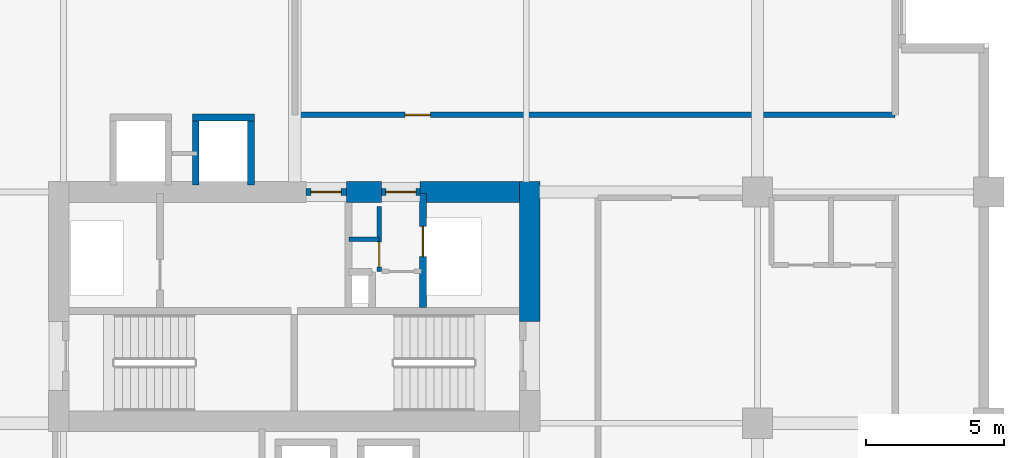
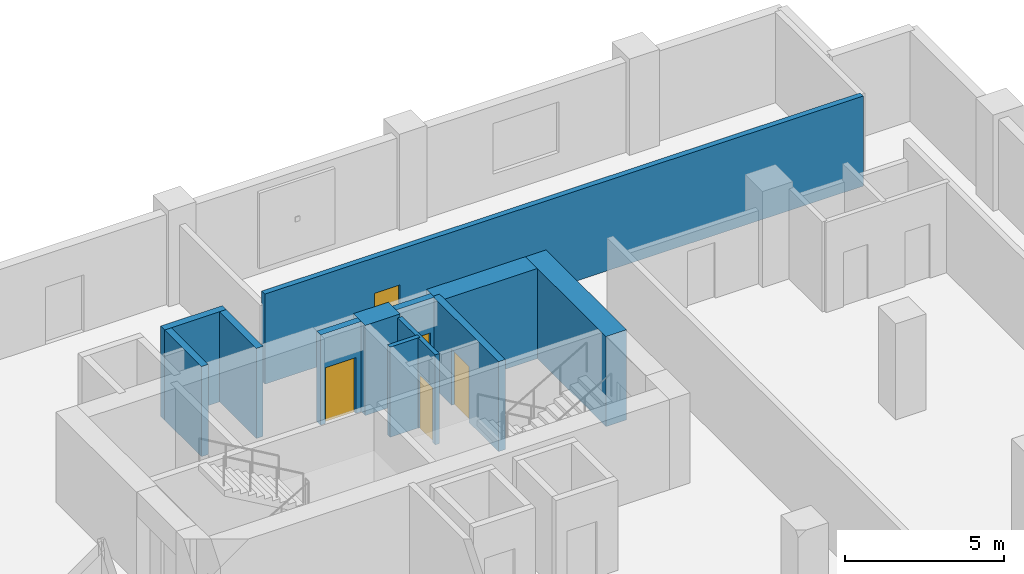
# One storey, part 6 of 16: 12 walls, 5 doors, 5 openings.
"""IFC4 building model written with IfcOpenShell, lengths in metres."""

from ifc_helpers import new_model, si_unit, direction, frame, frame_2d, origin, place, context, subcontext, project, spatial, rectangle, extrude, material, layer, layer_set, type_object, element, fill, save


model = new_model("IFC4")

# Units and contexts
model_context = context("Model", 3, precision=1e-05, world=origin(), true_north=direction((0.0, 1.0)))
body_context = subcontext(model_context, "Body", "Model", "MODEL_VIEW")
ifc_project = project(units=[si_unit("LENGTHUNIT", "METRE"), si_unit("AREAUNIT", "SQUARE_METRE"), si_unit("VOLUMEUNIT", "CUBIC_METRE"), si_unit("PLANEANGLEUNIT", "RADIAN"), si_unit("MASSUNIT", "GRAM", prefix="KILO")], contexts=[model_context])

# Site, building, storey
site_placement = place(None, origin())
site = spatial("IfcSite", under=ifc_project, at=site_placement, CompositionType="ELEMENT")
building_placement = place(site_placement, origin())
building = spatial("IfcBuilding", under=site, at=building_placement, Name="Koriwani Terraces Tower", CompositionType="ELEMENT")
storey_placement = place(building_placement, frame((0.0, 0.0, 171.699951171875)))
storey = spatial("IfcBuildingStorey", under=building, at=storey_placement, Name="L41", CompositionType="ELEMENT", Elevation=171.699951171875)

# Walls
ifc_material_1 = material(Name="Concrete C60/75", Category="concrete")
ifc_layer_1 = layer(ifc_material_1, 0.75, Name="Concrete C60/75")
ifc_layer_set_1 = layer_set([ifc_layer_1], Name="Concrete C60/75")
wall_type_1 = type_object("IfcWallType", Name="WALL_CORE_RC_750", PredefinedType="SHEAR", material=ifc_layer_set_1)
wall_1_placement = place(storey_placement, frame((58.925048828125, 20.5, 0.0), z_axis=(0.0, 0.0, 1.0), x_axis=(0.0, 1.0, 0.0)))
element("IfcWall", 1, at=wall_1_placement, inside=storey, type_object=wall_type_1, Name="L41 East Split Core Shear Wall E2", PredefinedType="SHEAR", context=body_context, shape_type="SweptSolid", body=[
    extrude(rectangle(XDim=5.074951171875, YDim=0.75, at=frame_2d((2.53759765625, 0.0))), origin(), (0.0, 0.0, 1.0), 3.469970703125),
])
wall_2_placement = place(storey_placement, frame((52.280029296875, 25.199951171875, 0.0), z_axis=(0.0, 0.0, 1.0), x_axis=(1.0, 0.0, 0.0)))
element("IfcWall", 2, at=wall_2_placement, inside=storey, type_object=wall_type_1, Name="L41 East Split Core Shear Wall N2", PredefinedType="SHEAR", context=body_context, shape_type="SweptSolid", body=[
    extrude(rectangle(XDim=1.27001953125, YDim=0.75, at=frame_2d((0.635009765625, 0.0))), origin(), (0.0, 0.0, 1.0), 3.469970703125),
])
wall_3_placement = place(storey_placement, frame((54.949951171875, 25.199951171875, 0.0), z_axis=(0.0, 0.0, 1.0), x_axis=(1.0, 0.0, 0.0)))
element("IfcWall", 3, at=wall_3_placement, inside=storey, type_object=wall_type_1, Name="L41 East Split Core Shear Wall N3", PredefinedType="SHEAR", context=body_context, shape_type="SweptSolid", body=[
    extrude(rectangle(XDim=3.60009765625, YDim=0.75, at=frame_2d((1.800048828125, 0.0))), origin(), (0.0, 0.0, 1.0), 3.469970703125),
])

# Wall, opening, door
ifc_material_2 = material(Name="Autoclaved Cellular Concrete Blockwork", Category="masonry")
ifc_layer_2 = layer(ifc_material_2, 0.199951171875, Name="Autoclaved Cellular Concrete Blockwork")
ifc_layer_set_2 = layer_set([ifc_layer_2], Name="Autoclaved Cellular Concrete Blockwork")
wall_type_2 = type_object("IfcWallType", Name="WALL_CORRIDOR_200", PredefinedType="PARTITIONING", material=ifc_layer_set_2)
wall_4_placement = place(storey_placement, frame((50.39990234375, 28.0, 0.0), z_axis=(0.0, 0.0, 1.0), x_axis=(1.0, 0.0, 0.0)))
wall_4 = element("IfcWall", 4, at=wall_4_placement, inside=storey, type_object=wall_type_2, Name="L41 Interior Wall WSEC-S-L41", PredefinedType="PARTITIONING", context=body_context, shape_type="SweptSolid", body=[
    extrude(rectangle(XDim=21.800048828125, YDim=0.199951171875, at=frame_2d((10.89990234375, 0.0))), origin(), (0.0, 0.0, 1.0), 3.469970703125),
])
opening_1_placement = place(wall_4_placement, frame((4.0, 0.0, 0.0)))
opening_1 = element("IfcOpeningElement", 5, at=opening_1_placement, cuts=wall_4, Name="Opening D-06", PredefinedType="OPENING", context=body_context, shape_type="SweptSolid", body=[
    extrude(rectangle(XDim=0.919921875, YDim=2.10009765625, at=frame_2d((0.4599609375, 1.050048828125))), frame((0.0, 0.10986328125, 0.0), z_axis=(0.0, -1.0, 0.0), x_axis=(1.0, 0.0, 0.0)), (0.0, 0.0, 1.0), 0.219970703125),
])
ifc_material_3 = material(Name="Architectural Oak Fire Door", Category="wood")
door_type_1 = type_object("IfcDoorType", Name="DOOR_ROOM_INT_920X2100", OperationType="NOTDEFINED", PredefinedType="DOOR", material=ifc_material_3)
door_1_placement = place(opening_1_placement, origin())
door_1 = element("IfcDoor", 6, at=door_1_placement, inside=storey, type_object=door_type_1, Name="L41 East Court Study Door", OperationType="SINGLE_SWING_RIGHT", OverallHeight=2.10009765625, OverallWidth=0.919921875, PredefinedType="DOOR", context=body_context, shape_type="SweptSolid", body=[
    extrude(rectangle(XDim=0.919921875, YDim=2.10009765625, at=frame_2d((0.4599609375, 1.050048828125))), frame((0.0, 0.02490234375, 0.0), z_axis=(0.0, -1.0, 0.0), x_axis=(1.0, 0.0, 0.0)), (0.0, 0.0, 1.0), 0.050048828125),
])
fill(opening_1, door_1)

ifc_material_4 = material(Name="Concrete C40/50", Category="concrete")
ifc_layer_3 = layer(ifc_material_4, 0.25, Name="Concrete C40/50")
ifc_layer_set_3 = layer_set([ifc_layer_3], Name="Concrete C40/50")
wall_type_3 = type_object("IfcWallType", Name="WALL_SHAFT_RATED_250", PredefinedType="SOLIDWALL", material=ifc_layer_set_3)
wall_5_placement = place(storey_placement, frame((50.800048828125, 25.199951171875, 0.0), z_axis=(0.0, 0.0, 1.0), x_axis=(1.0, 0.0, 0.0)))
wall_5 = element("IfcWall", 7, at=wall_5_placement, inside=storey, type_object=wall_type_3, Name="L41 Interior Wall WIN-CE-L41-NP", PredefinedType="SOLIDWALL", context=body_context, shape_type="SweptSolid", body=[
    extrude(rectangle(XDim=1.47998046875, YDim=0.25, at=frame_2d((0.739990234375, 0.0))), origin(), (0.0, 0.0, 1.0), 3.469970703125),
])
opening_2_placement = place(wall_5_placement, frame((0.179931640625, 0.0, 0.0)))
opening_2 = element("IfcOpeningElement", 8, at=opening_2_placement, cuts=wall_5, Name="Opening D-03", PredefinedType="OPENING", context=body_context, shape_type="SweptSolid", body=[
    extrude(rectangle(XDim=1.10009765625, YDim=2.14990234375, at=frame_2d((0.550048828125, 1.074951171875))), frame((0.0, 0.135009765625, 0.0), z_axis=(0.0, -1.0, 0.0), x_axis=(1.0, 0.0, 0.0)), (0.0, 0.0, 1.0), 0.27001953125),
])
ifc_material_5 = material(Name="Steel ASTM A572 Grade 50", Category="steel")
door_type_2 = type_object("IfcDoorType", Name="DOOR_STAIR_FIRE_1100X2150", OperationType="NOTDEFINED", PredefinedType="DOOR", material=ifc_material_5)
door_2_placement = place(opening_2_placement, origin())
door_2 = element("IfcDoor", 9, at=door_2_placement, inside=storey, type_object=door_type_2, Name="L41 East Firefighting Lobby Door", OperationType="SINGLE_SWING_RIGHT", OverallHeight=2.14990234375, OverallWidth=1.10009765625, PredefinedType="DOOR", context=body_context, shape_type="SweptSolid", body=[
    extrude(rectangle(XDim=1.10009765625, YDim=2.14990234375, at=frame_2d((0.550048828125, 1.074951171875))), frame((0.0, 0.02490234375, 0.0), z_axis=(0.0, -1.0, 0.0), x_axis=(1.0, 0.0, 0.0)), (0.0, 0.0, 1.0), 0.050048828125),
])
fill(opening_2, door_2)

wall_6_placement = place(storey_placement, frame((55.050048828125, 21.0, 0.0), z_axis=(0.0, 0.0, 1.0), x_axis=(0.0, 1.0, 0.0)))
wall_6 = element("IfcWall", 10, at=wall_6_placement, inside=storey, type_object=wall_type_3, Name="L41 Interior Wall WIN-CE-L41-SE", PredefinedType="SOLIDWALL", context=body_context, shape_type="SweptSolid", body=[
    extrude(rectangle(XDim=4.14990234375, YDim=0.25, at=frame_2d((2.074951171875, 0.0))), origin(), (0.0, 0.0, 1.0), 3.469970703125),
])
opening_3_placement = place(wall_6_placement, frame((1.85009765625, 0.0, 0.0)))
opening_3 = element("IfcOpeningElement", 11, at=opening_3_placement, cuts=wall_6, Name="Opening LD-01", PredefinedType="OPENING", context=body_context, shape_type="SweptSolid", body=[
    extrude(rectangle(XDim=1.10009765625, YDim=2.14990234375, at=frame_2d((0.550048828125, 1.074951171875))), frame((0.0, 0.135009765625, 0.0), z_axis=(0.0, -1.0, 0.0), x_axis=(1.0, 0.0, 0.0)), (0.0, 0.0, 1.0), 0.27001953125),
])
door_type_3 = type_object("IfcDoorType", Name="DOOR_LIFT_LANDING_1100X2200", OperationType="NOTDEFINED", PredefinedType="DOOR", material=ifc_material_5)
door_3_placement = place(opening_3_placement, origin())
door_3 = element("IfcDoor", 12, at=door_3_placement, inside=storey, type_object=door_type_3, Name="L41 Goods Lift SE-02 Landing Door", OperationType="SLIDING_TO_LEFT", OverallHeight=2.14990234375, OverallWidth=1.10009765625, PredefinedType="DOOR", context=body_context, shape_type="SweptSolid", body=[
    extrude(rectangle(XDim=1.10009765625, YDim=2.14990234375, at=frame_2d((0.550048828125, 1.074951171875))), frame((0.0, 0.02490234375, 0.0), z_axis=(0.0, -1.0, 0.0), x_axis=(1.0, 0.0, 0.0)), (0.0, 0.0, 1.0), 0.050048828125),
])
fill(opening_3, door_3)

wall_7_placement = place(storey_placement, frame((53.550048828125, 25.199951171875, 0.0), z_axis=(0.0, 0.0, 1.0), x_axis=(1.0, 0.0, 0.0)))
wall_7 = element("IfcWall", 13, at=wall_7_placement, inside=storey, type_object=wall_type_3, Name="L41 Interior Wall WIN-CE-L41-NP2", PredefinedType="SOLIDWALL", context=body_context, shape_type="SweptSolid", body=[
    extrude(rectangle(XDim=1.39990234375, YDim=0.25, at=frame_2d((0.699951171875, 0.0))), origin(), (0.0, 0.0, 1.0), 3.469970703125),
])
opening_4_placement = place(wall_7_placement, frame((0.14990234375, 0.0, 0.0)))
opening_4 = element("IfcOpeningElement", 14, at=opening_4_placement, cuts=wall_7, Name="Opening D-03", PredefinedType="OPENING", context=body_context, shape_type="SweptSolid", body=[
    extrude(rectangle(XDim=1.10009765625, YDim=2.14990234375, at=frame_2d((0.550048828125, 1.074951171875))), frame((0.0, 0.135009765625, 0.0), z_axis=(0.0, -1.0, 0.0), x_axis=(1.0, 0.0, 0.0)), (0.0, 0.0, 1.0), 0.27001953125),
])
door_4_placement = place(opening_4_placement, origin())
door_4 = element("IfcDoor", 15, at=door_4_placement, inside=storey, type_object=door_type_2, Name="L41 East Goods Lift Lobby Door", OperationType="SINGLE_SWING_LEFT", OverallHeight=2.14990234375, OverallWidth=1.10009765625, PredefinedType="DOOR", context=body_context, shape_type="SweptSolid", body=[
    extrude(rectangle(XDim=1.10009765625, YDim=2.14990234375, at=frame_2d((0.550048828125, 1.074951171875))), frame((0.0, 0.02490234375, 0.0), z_axis=(0.0, -1.0, 0.0), x_axis=(1.0, 0.0, 0.0)), (0.0, 0.0, 1.0), 0.050048828125),
])
fill(opening_4, door_4)

# Walls
wall_8_placement = place(storey_placement, frame((46.675048828125, 27.89990234375, 0.0), z_axis=(0.0, 0.0, 1.0), x_axis=(1.0, 0.0, 0.0)))
element("IfcWall", 16, at=wall_8_placement, inside=storey, type_object=wall_type_3, Name="L41 Interior Wall WIN-LF-PE-H4-L41-F", PredefinedType="SOLIDWALL", context=body_context, shape_type="SweptSolid", body=[
    extrude(rectangle(XDim=2.25, YDim=0.25, at=frame_2d((1.125, 0.0))), origin(), (0.0, 0.0, 1.0), 3.469970703125),
])
for number, where, z_axis, x_axis, name in (
    (17, (46.800048828125, 25.449951171875, 0.0), (0.0, 0.0, 1.0), (0.0, 1.0, 0.0), "L41 Interior Wall WIN-LF-PE-H4-L41-W"),
    (18, (48.800048828125, 25.449951171875, 0.0), (0.0, 0.0, 1.0), (0.0, 1.0, 0.0), "L41 Interior Wall WIN-LF-PE-H4-L41-E"),
):
    element("IfcWall", number, at=place(storey_placement, frame(where, z_axis=z_axis, x_axis=x_axis)), inside=storey, type_object=wall_type_3, Name=name, PredefinedType="SOLIDWALL", context=body_context, shape_type="SweptSolid", body=[
        extrude(rectangle(XDim=2.324951171875, YDim=0.25, at=frame_2d((1.16259765625, 0.0))), origin(), (0.0, 0.0, 1.0), 3.469970703125),
    ])

# Wall, opening, door
ifc_material_6 = material(Name="Fire-Rated Acoustic Gypsum Partition", Category="masonry")
ifc_layer_4 = layer(ifc_material_6, 0.159912109375, Name="Fire-Rated Acoustic Gypsum Partition")
ifc_layer_set_4 = layer_set([ifc_layer_4], Name="Fire-Rated Acoustic Gypsum Partition")
wall_type_4 = type_object("IfcWallType", Name="WALL_SUITE_160", PredefinedType="PARTITIONING", material=ifc_layer_set_4)
wall_9_placement = place(storey_placement, frame((53.4599609375, 22.320068359375, 0.0), z_axis=(0.0, 0.0, 1.0), x_axis=(0.0, 1.0, 0.0)))
wall_9 = element("IfcWall", 19, at=wall_9_placement, inside=storey, type_object=wall_type_4, Name="L41 Interior Wall WIN-CE-L41-SV2H", PredefinedType="PARTITIONING", context=body_context, shape_type="SweptSolid", body=[
    extrude(rectangle(XDim=2.35986328125, YDim=0.159912109375, at=frame_2d((1.179931640625, 0.0))), origin(), (0.0, 0.0, 1.0), 3.469970703125),
])
opening_5_placement = place(wall_9_placement, frame((0.159912109375, 0.0, 0.0)))
opening_5 = element("IfcOpeningElement", 20, at=opening_5_placement, cuts=wall_9, Name="Opening D-07", PredefinedType="OPENING", context=body_context, shape_type="SweptSolid", body=[
    extrude(rectangle(XDim=0.89990234375, YDim=2.10009765625, at=frame_2d((0.449951171875, 1.050048828125))), frame((0.0, 0.08984375, 0.0), z_axis=(0.0, -1.0, 0.0), x_axis=(1.0, 0.0, 0.0)), (0.0, 0.0, 1.0), 0.179931640625),
])
door_type_4 = type_object("IfcDoorType", Name="DOOR_BATH_INT_900X2100", OperationType="NOTDEFINED", PredefinedType="DOOR", material=ifc_material_3)
door_5_placement = place(opening_5_placement, origin())
door_5 = element("IfcDoor", 21, at=door_5_placement, inside=storey, type_object=door_type_4, Name="L41 East Valve Room Door", OperationType="SINGLE_SWING_LEFT", OverallHeight=2.10009765625, OverallWidth=0.89990234375, PredefinedType="DOOR", context=body_context, shape_type="SweptSolid", body=[
    extrude(rectangle(XDim=0.89990234375, YDim=2.10009765625, at=frame_2d((0.449951171875, 1.050048828125))), frame((0.0, 0.02490234375, 0.0), z_axis=(0.0, -1.0, 0.0), x_axis=(1.0, 0.0, 0.0)), (0.0, 0.0, 1.0), 0.050048828125),
])
fill(opening_5, door_5)

# Wall
wall_10_placement = place(storey_placement, frame((52.360107421875, 23.47998046875, 0.0), z_axis=(0.0, 0.0, 1.0), x_axis=(1.0, 0.0, 0.0)))
element("IfcWall", 22, at=wall_10_placement, inside=storey, type_object=wall_type_4, Name="L41 Interior Wall WIN-CE-L41-SV2V", PredefinedType="PARTITIONING", context=body_context, shape_type="SweptSolid", body=[
    extrude(rectangle(XDim=1.099853515625, YDim=0.159912109375, at=frame_2d((0.5498046875, 0.0))), origin(), (0.0, 0.0, 1.0), 3.469970703125),
])

save(model, "model.ifc")
